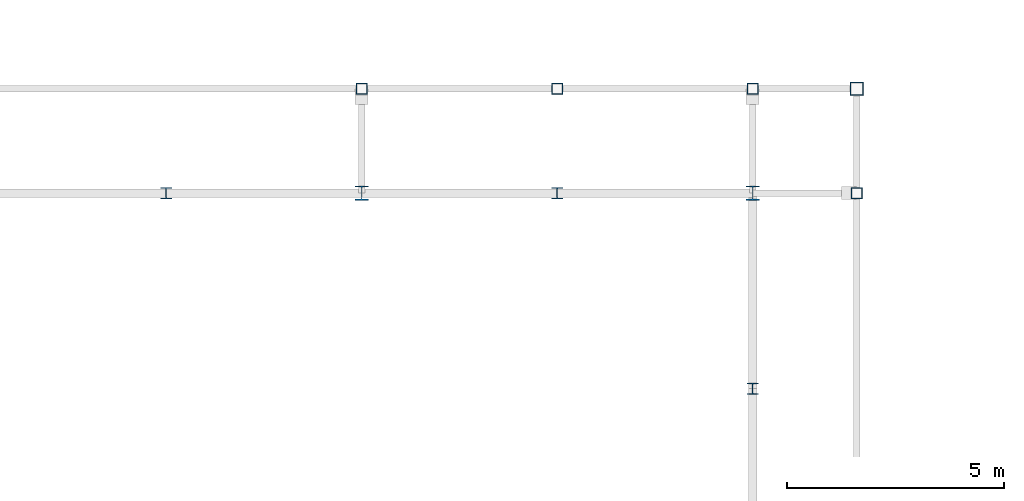
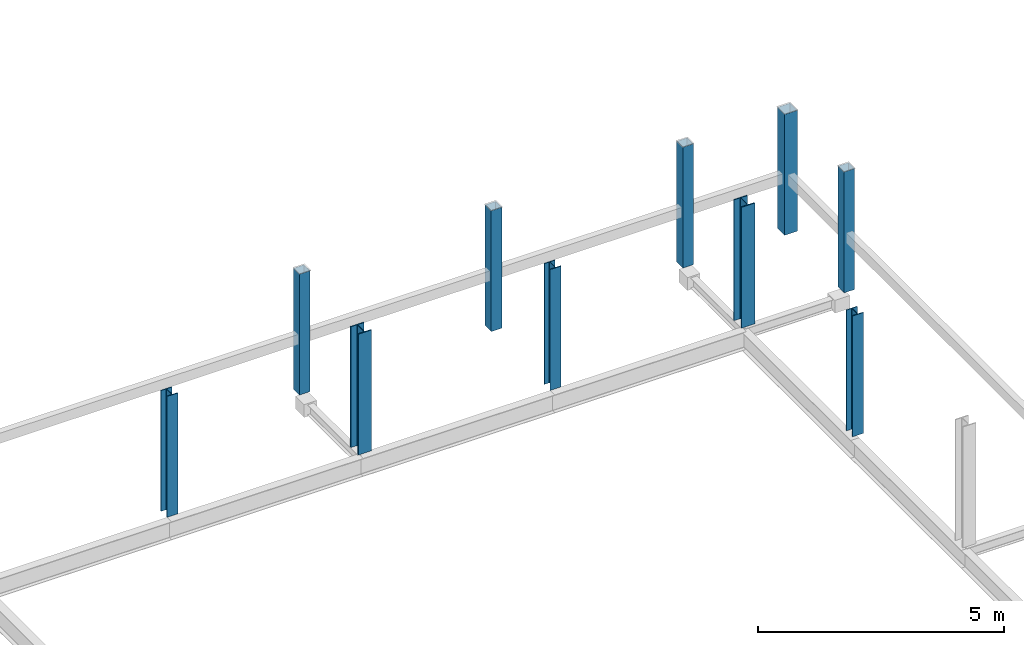
# One storey, part 6 of 16: 10 columns.
"""IFC4 building model written with IfcOpenShell, lengths in metres."""

import ifcopenshell
import ifcopenshell.guid

model = None  # the IFC model being written
_history = None  # IfcOwnerHistory: only IFC2X3 demands one
_inside = {}  # id of a spatial element -> (the spatial element, [elements in it])
_under = {}  # id of a project, library or spatial element -> (it, [spatial elements below it])
_declared = {}  # id of a project -> (the project, [libraries it declares])
_typed = {}  # id of a type object -> (the type object, [elements of that type])
_made_of = {}  # id of a material, layer set ... -> (it, [elements and type objects made of it])


def new_model(schema):
    """Start an empty IFC model of exactly this schema.

    Asked for "IFC4X3", IfcOpenShell would pick the latest addendum, in which some entities
    have other attributes; the version numbers below select the first issue.
    IFC2X3 requires an IfcOwnerHistory on every rooted entity: one is made here for all.
    """
    global model, _history
    if schema == "IFC4X3":
        model = ifcopenshell.file(schema_version=(4, 3, 0, 0))
    else:
        model = ifcopenshell.file(schema=schema)
    _inside.clear()
    _under.clear()
    _declared.clear()
    _typed.clear()
    _made_of.clear()
    _history = None
    if model.schema == "IFC2X3":
        org = make("IfcOrganization", Name="unknown")
        user = make(
            "IfcPersonAndOrganization",
            ThePerson=make("IfcPerson", FamilyName="unknown"),
            TheOrganization=org,
        )
        app = make(
            "IfcApplication",
            ApplicationDeveloper=org,
            Version="unknown",
            ApplicationFullName="unknown",
            ApplicationIdentifier="unknown",
        )
        _history = make(
            "IfcOwnerHistory",
            OwningUser=user,
            OwningApplication=app,
            ChangeAction="ADDED",
            CreationDate=0,
        )
    return model


def make(cls, **values):
    """One entity of the class cls with the attributes given. An attribute that is None is left unset."""
    return model.create_entity(
        cls, **{name: value for name, value in values.items() if value is not None}
    )


def rooted(cls, **values):
    """An entity with a GlobalId (a new one), such as an element, a storey or a relation."""
    return make(cls, GlobalId=ifcopenshell.guid.new(), OwnerHistory=_history, **values)


def si_unit(unit_type, name, prefix=None):
    """IfcSIUnit, for example si_unit("LENGTHUNIT", "METRE", prefix="MILLI")."""
    return make("IfcSIUnit", UnitType=unit_type, Prefix=prefix, Name=name)


def assignment(units):
    """IfcUnitAssignment: the units of a project."""
    return None if units is None else make("IfcUnitAssignment", Units=units)


def point(xyz):
    """IfcCartesianPoint."""
    return None if xyz is None else make("IfcCartesianPoint", Coordinates=xyz)


def direction(xyz):
    """IfcDirection."""
    return None if xyz is None else make("IfcDirection", DirectionRatios=xyz)


def frame(location, z_axis=None, x_axis=None):
    """IfcAxis2Placement3D, a coordinate frame: its origin and axes. An axis left out is left unset."""
    return make(
        "IfcAxis2Placement3D",
        Location=point(location),
        Axis=direction(z_axis),
        RefDirection=direction(x_axis),
    )


def frame_2d(location, x_axis=None):
    """IfcAxis2Placement2D, a coordinate frame in the plane: its origin and x axis."""
    return make(
        "IfcAxis2Placement2D", Location=point(location), RefDirection=direction(x_axis)
    )


def origin():
    """The frame at (0, 0, 0) with its axes left unset."""
    return frame((0.0, 0.0, 0.0))


def origin_2d():
    """The frame at (0, 0) in the plane with its x axis left unset."""
    return frame_2d((0.0, 0.0))


def place(relative_to, where):
    """IfcLocalPlacement: puts the frame where relative to a parent placement (None: the world)."""
    return make(
        "IfcLocalPlacement", PlacementRelTo=relative_to, RelativePlacement=where
    )


def context(
    kind, dimensions, precision=None, world=None, true_north=None, identifier=None
):
    """IfcGeometricRepresentationContext, for example the 3D "Model" context."""
    return make(
        "IfcGeometricRepresentationContext",
        ContextIdentifier=identifier,
        ContextType=kind,
        CoordinateSpaceDimension=dimensions,
        Precision=precision,
        WorldCoordinateSystem=world,
        TrueNorth=true_north,
    )


def subcontext(parent, identifier, kind, view, scale=None):
    """IfcGeometricRepresentationSubContext, for example "Body" below "Model"."""
    return make(
        "IfcGeometricRepresentationSubContext",
        ContextIdentifier=identifier,
        ContextType=kind,
        ParentContext=parent,
        TargetScale=scale,
        TargetView=view,
    )


def project(units=None, contexts=None):
    """IfcProject with its units and contexts."""
    return rooted(
        "IfcProject",
        Name="project",
        RepresentationContexts=contexts,
        UnitsInContext=assignment(units),
    )


def spatial(cls, under=None, at=None, **own):
    """A site, building, storey or space (cls), placed at a placement, below another one or the project."""
    s = rooted(cls, ObjectPlacement=at, **own)
    if under is not None:
        _under.setdefault(under.id(), (under, []))[1].append(s)
    return s


def profile(cls, at=None, kind="AREA", **sizes):
    """A parametric profile (cls). Its sizes go by their IFC names, for example OverallWidth=200.0."""
    return make(cls, ProfileType=kind, Position=at, **sizes)


def hollow_rectangle(**sizes):
    """IfcRectangleHollowProfileDef."""
    return profile("IfcRectangleHollowProfileDef", **sizes)


def i_section(**sizes):
    """IfcIShapeProfileDef."""
    return profile("IfcIShapeProfileDef", **sizes)


def extrude(swept, where, along, depth):
    """IfcExtrudedAreaSolid: the profile swept, set in the frame where, extruded along a direction by depth."""
    return make(
        "IfcExtrudedAreaSolid",
        SweptArea=swept,
        Position=where,
        ExtrudedDirection=direction(along),
        Depth=depth,
    )


def shape(context_of_items, identifier, shape_type, items):
    """IfcShapeRepresentation: the items that make up one representation, for example the "Body"."""
    return make(
        "IfcShapeRepresentation",
        ContextOfItems=context_of_items,
        RepresentationIdentifier=identifier,
        RepresentationType=shape_type,
        Items=items,
    )


def material(Name=None, Category=None):
    """IfcMaterial."""
    return make("IfcMaterial", Name=Name, Category=Category)


def material_profile(
    of_material, cross_section, Name=None, Category=None, Priority=None
):
    """IfcMaterialProfile: a cross section and its material."""
    return make(
        "IfcMaterialProfile",
        Name=Name,
        Material=of_material,
        Profile=cross_section,
        Priority=Priority,
        Category=Category,
    )


def profile_set(profiles, Name=None, composite=None):
    """IfcMaterialProfileSet."""
    return make(
        "IfcMaterialProfileSet",
        Name=Name,
        MaterialProfiles=profiles,
        CompositeProfile=composite,
    )


def made_of(thing, what):
    """Note that an element or type object is made of a material, layer set ...; save() writes the relation."""
    if what is not None:
        _made_of.setdefault(what.id(), (what, []))[1].append(thing)
    return thing


def type_object(cls, material=None, **own):
    """A type object (cls), such as IfcWallType, which elements share."""
    return made_of(rooted(cls, **own), material)


def element(
    cls,
    number,
    at=None,
    inside=None,
    cuts=None,
    type_object=None,
    material=None,
    context=None,
    identifier="Body",
    shape_type=None,
    held_by="IfcProductDefinitionShape",
    body=None,
    shapes=None,
    **own,
):
    """One element of the class cls, such as IfcWall. Its Tag is "e" and its number.

    at: its placement. inside: the storey or other place that contains it. cuts: it is an
    opening in that element (IfcRelVoidsElement). A single representation is given by context,
    identifier, shape_type and body (its items); several are given by shapes. held_by: the class
    of the entity that holds the representations. save() writes the other relations.
    """
    e = rooted(cls, Tag="e%d" % number, ObjectPlacement=at, **own)
    if body is not None:
        shapes = [shape(context, identifier, shape_type, body)]
    if shapes is not None:
        e.Representation = make(held_by, Representations=shapes)
    if inside is not None:
        _inside.setdefault(inside.id(), (inside, []))[1].append(e)
    if cuts is not None:
        rooted(
            "IfcRelVoidsElement", RelatingBuildingElement=cuts, RelatedOpeningElement=e
        )
    if type_object is not None:
        _typed.setdefault(type_object.id(), (type_object, []))[1].append(e)
    return made_of(e, material)


def aggregate(whole, parts):
    """IfcRelAggregates: a whole, such as a stair, and the parts it consists of."""
    return rooted("IfcRelAggregates", RelatingObject=whole, RelatedObjects=parts)


def save(model, path):
    """Write the relations noted so far, then the file.

    IfcRelAggregates (storeys below a building ...), IfcRelContainedInSpatialStructure (elements
    in a storey), IfcRelDefinesByType, IfcRelAssociatesMaterial and IfcRelDeclares: one each for
    every whole, place, type object, material and project.
    """
    for whole, parts in _under.values():
        aggregate(whole, parts)
    for where, things in _inside.values():
        rooted(
            "IfcRelContainedInSpatialStructure",
            RelatedElements=things,
            RelatingStructure=where,
        )
    for kind, things in _typed.values():
        rooted("IfcRelDefinesByType", RelatedObjects=things, RelatingType=kind)
    for what, things in _made_of.values():
        rooted("IfcRelAssociatesMaterial", RelatedObjects=things, RelatingMaterial=what)
    for by, libraries in _declared.values():
        rooted("IfcRelDeclares", RelatingContext=by, RelatedDefinitions=libraries)
    model.write(path)


model = new_model("IFC4")

# Units and contexts
model_context = context("Model", 3, precision=1e-05, world=origin(), true_north=direction((0.0, 1.0)))
body_context = subcontext(model_context, "Body", "Model", "MODEL_VIEW")
ifc_project = project(units=[si_unit("LENGTHUNIT", "METRE"), si_unit("AREAUNIT", "SQUARE_METRE"), si_unit("VOLUMEUNIT", "CUBIC_METRE"), si_unit("PLANEANGLEUNIT", "RADIAN"), si_unit("MASSUNIT", "GRAM", prefix="KILO"), si_unit("THERMODYNAMICTEMPERATUREUNIT", "KELVIN"), si_unit("POWERUNIT", "WATT")], contexts=[model_context])

# Site, building, storey
site_placement = place(None, origin())
site = spatial("IfcSite", under=ifc_project, at=site_placement, CompositionType="ELEMENT")
building_placement = place(site_placement, origin())
building = spatial("IfcBuilding", under=site, at=building_placement, Name="Tallowbark Science Centre", CompositionType="ELEMENT")
storey_placement = place(building_placement, frame((0.0, 0.0, 23.39990234375)))
storey = spatial("IfcBuildingStorey", under=building, at=storey_placement, Name="L05", CompositionType="ELEMENT", Elevation=23.39990234375)

# Columns
ifc_material_1 = material(Name="White Architectural Painted Steel Grade C350L0 (350 MPa)", Category="steel")
ifc_material_profile_1 = material_profile(ifc_material_1, hollow_rectangle(XDim=0.25, YDim=0.25, WallThickness=0.009033203125, at=origin_2d()), Name="250x250x9.0SHS")
ifc_profile_set_1 = profile_set([ifc_material_profile_1], Name="White Architectural Painted Steel Grade C350L0 (350 MPa)")
column_type_1 = type_object("IfcColumnType", Name="COL-SCR200", PredefinedType="COLUMN", material=ifc_profile_set_1)
for number, where, z_axis, x_axis, name in (
    (1, (94.5, 42.89990234375, 0.0), (0.0, 0.0, 1.0), (1.0, 0.0, 0.0), "Column SCR-N05 L05"),
    (2, (103.5, 42.89990234375, 0.0), (0.0, 0.0, 1.0), (1.0, 0.0, 0.0), "Column SCR-N06 L05"),
    (3, (99.0, 42.89990234375, 0.0), (0.0, 0.0, 1.0), (1.0, 0.0, 0.0), "Column SCR-NLNK L05"),
    (4, (105.89990234375, 40.5, 0.0), (0.0, 0.0, 1.0), (1.0, 0.0, 0.0), "Column SCR-E05 L05"),
):
    element("IfcColumn", number, at=place(storey_placement, frame(where, z_axis=z_axis, x_axis=x_axis)), inside=storey, type_object=column_type_1, Name=name, PredefinedType="COLUMN", context=body_context, shape_type="SweptSolid", body=[
        extrude(hollow_rectangle(XDim=0.25, YDim=0.25, WallThickness=0.009033203125, at=origin_2d()), origin(), (0.0, 0.0, 1.0), 3.0),
    ])
ifc_material_profile_2 = material_profile(ifc_material_1, hollow_rectangle(XDim=0.300048828125, YDim=0.300048828125, WallThickness=0.010009765625, at=origin_2d()), Name="300x300x10.0SHS")
ifc_profile_set_2 = profile_set([ifc_material_profile_2], Name="White Architectural Painted Steel Grade C350L0 (350 MPa)")
column_type_2 = type_object("IfcColumnType", Name="COL-SCR300", PredefinedType="COLUMN", material=ifc_profile_set_2)
column_placement = place(storey_placement, frame((105.89990234375, 42.89990234375, 0.0), z_axis=(0.0, 0.0, 1.0), x_axis=(1.0, 0.0, 0.0)))
element("IfcColumn", 5, at=column_placement, inside=storey, type_object=column_type_2, Name="Column SCR-N07 L05", PredefinedType="COLUMN", context=body_context, shape_type="SweptSolid", body=[
    extrude(hollow_rectangle(XDim=0.300048828125, YDim=0.300048828125, WallThickness=0.010009765625, at=origin_2d()), origin(), (0.0, 0.0, 1.0), 3.0),
])
ifc_material_2 = material(Name="Structural Steel Grade 300PLUS (300 MPa)", Category="steel")
ifc_material_profile_3 = material_profile(ifc_material_2, i_section(OverallWidth=0.311279296875, OverallDepth=0.3271484375, WebThickness=0.015625, FlangeThickness=0.02490234375, FilletRadius=0.0166015625, at=origin_2d()), Name="310UC158")
ifc_profile_set_3 = profile_set([ifc_material_profile_3], Name="Structural Steel Grade 300PLUS (300 MPa)")
column_type_3 = type_object("IfcColumnType", Name="COL-UC310A", PredefinedType="COLUMN", material=ifc_profile_set_3)
for number, where, z_axis, x_axis, name in (
    (6, (94.5, 40.5, 0.0), (0.0, 0.0, 1.0), (1.0, 0.0, 0.0), "Column CUB-M4_4 L05"),
    (7, (103.5, 40.5, 0.0), (0.0, 0.0, 1.0), (1.0, 0.0, 0.0), "Column CUB-M5_4 L05"),
):
    element("IfcColumn", number, at=place(storey_placement, frame(where, z_axis=z_axis, x_axis=x_axis)), inside=storey, type_object=column_type_3, Name=name, PredefinedType="COLUMN", context=body_context, shape_type="SweptSolid", body=[
        extrude(i_section(OverallWidth=0.311279296875, OverallDepth=0.3271484375, WebThickness=0.015625, FlangeThickness=0.02490234375, FilletRadius=0.0166015625, at=origin_2d()), origin(), (0.0, 0.0, 1.0), 3.0),
    ])
ifc_material_profile_4 = material_profile(ifc_material_2, i_section(OverallWidth=0.256103515625, OverallDepth=0.260009765625, WebThickness=0.010498046875, FlangeThickness=0.017333984375, FilletRadius=0.013916015625, at=origin_2d()), Name="250UC89.5")
ifc_profile_set_4 = profile_set([ifc_material_profile_4], Name="Structural Steel Grade 300PLUS (300 MPa)")
column_type_4 = type_object("IfcColumnType", Name="PIL-UC250", PredefinedType="PILASTER", material=ifc_profile_set_4)
for number, where, z_axis, x_axis, name in (
    (8, (90.0, 40.5, 0.0), (0.0, 0.0, 1.0), (1.0, 0.0, 0.0), "Column CUB-PN-3 L05"),
    (9, (99.0, 40.5, 0.0), (0.0, 0.0, 1.0), (1.0, 0.0, 0.0), "Column CUB-PN-4 L05"),
    (10, (103.5, 36.0, 0.0), (0.0, 0.0, 1.0), (1.0, 0.0, 0.0), "Column CUB-PE-3 L05"),
):
    element("IfcColumn", number, at=place(storey_placement, frame(where, z_axis=z_axis, x_axis=x_axis)), inside=storey, type_object=column_type_4, Name=name, PredefinedType="PILASTER", context=body_context, shape_type="SweptSolid", body=[
        extrude(i_section(OverallWidth=0.256103515625, OverallDepth=0.260009765625, WebThickness=0.010498046875, FlangeThickness=0.017333984375, FilletRadius=0.013916015625, at=origin_2d()), origin(), (0.0, 0.0, 1.0), 3.0),
    ])

save(model, "model.ifc")
